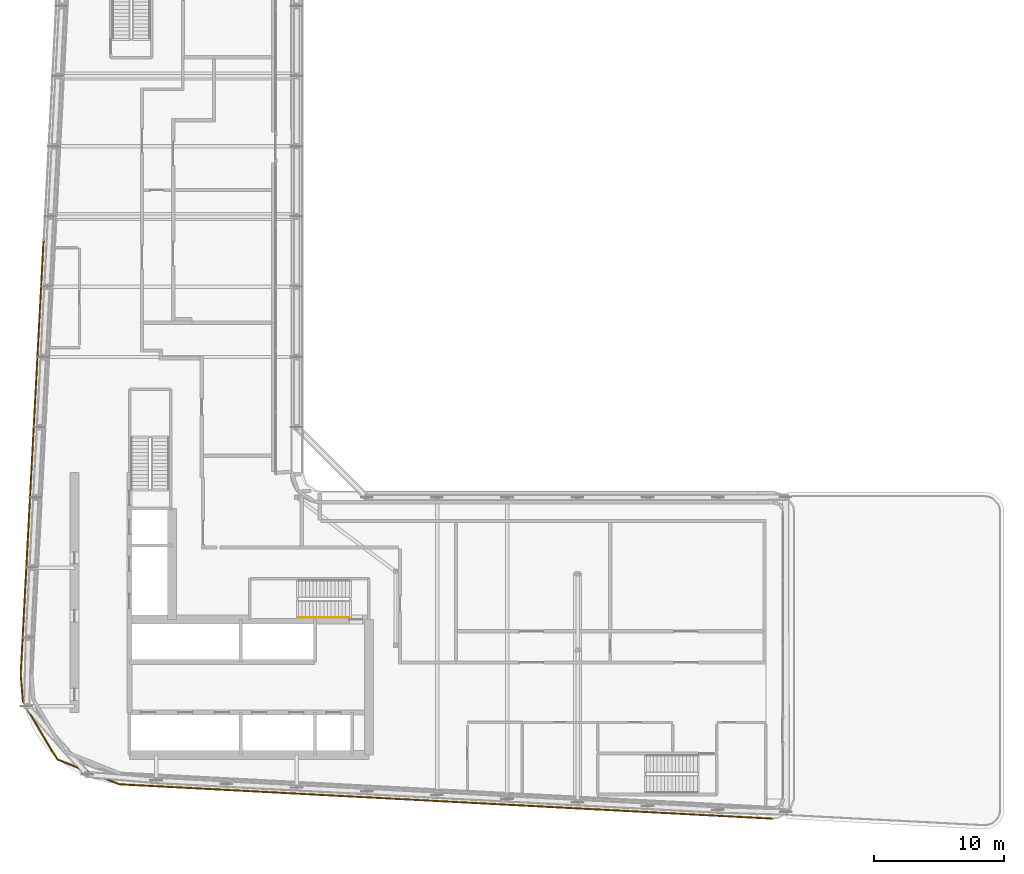
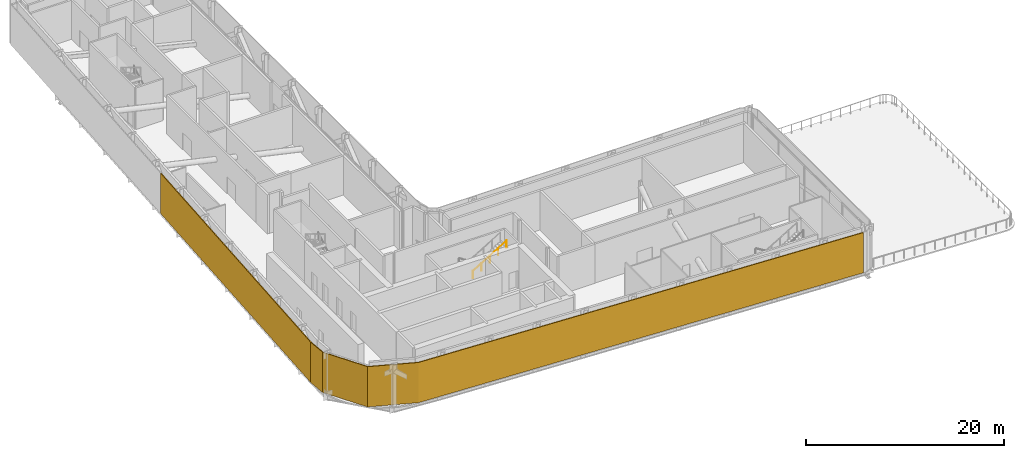
# One storey, part 17 of 23: 2 shading devices, 1 railing.
"""IFC4 building model written with IfcOpenShell, lengths in metres."""

from ifc_helpers import new_model, si_unit, direction, frame, origin, origin_2d, place, context, subcontext, project, spatial, polyline, rectangle, circle, outline, extrude, material, layer, layer_set, type_object, element, save


model = new_model("IFC4")

# Units and contexts
model_context = context("Model", 3, precision=1e-05, world=origin(), true_north=direction((0.0, 1.0)))
body_context = subcontext(model_context, "Body", "Model", "MODEL_VIEW")
ifc_project = project(units=[si_unit("LENGTHUNIT", "METRE"), si_unit("AREAUNIT", "SQUARE_METRE"), si_unit("VOLUMEUNIT", "CUBIC_METRE"), si_unit("PLANEANGLEUNIT", "RADIAN"), si_unit("MASSUNIT", "GRAM", prefix="KILO")], contexts=[model_context])

# Site, building, storey
site_placement = place(None, origin())
site = spatial("IfcSite", under=ifc_project, at=site_placement, CompositionType="ELEMENT")
building_placement = place(site_placement, origin())
building = spatial("IfcBuilding", under=site, at=building_placement, Name="Kheshtan School and Residences Tower", CompositionType="ELEMENT")
storey_placement = place(building_placement, frame((0.0, 0.0, 211.10009765625)))
storey = spatial("IfcBuildingStorey", under=building, at=storey_placement, Name="L49", CompositionType="ELEMENT", Elevation=211.10009765625)

# Shading devices
ifc_material_1 = material(Name="Terracotta louvre blades", Category="masonry")
ifc_layer = layer(ifc_material_1, 0.10009765625)
ifc_layer_set = layer_set([ifc_layer], Name="Plant louvre screen")
shading_device_type = type_object("IfcShadingDeviceType", Name="Plant louvre screen", PredefinedType="JALOUSIE", material=ifc_layer_set)
shading_device_1_placement = place(storey_placement, origin())
element("IfcShadingDevice", 1, at=shading_device_1_placement, inside=storey, type_object=shading_device_type, Name="Screen L49 5", PredefinedType="JALOUSIE", context=body_context, shape_type="SweptSolid", body=[
    extrude(outline(polyline([(84.220947265625, 20.93603515625), (33.989013671875, 23.580078125), (29.2119140625, 25.486083984375), (26.583984375, 29.906982421875), (26.419921875, 31.989013671875), (26.320068359375, 31.98095703125), (26.486083984375, 29.8759765625), (29.14306640625, 25.406005859375), (33.967041015625, 23.48095703125), (84.216064453125, 20.8359375), (84.220947265625, 20.93603515625)])), origin(), (0.0, 0.0, 1.0), 4.949951171875),
])
shading_device_2_placement = place(storey_placement, frame((27.24609375, 48.638916015625, 0.0), z_axis=(0.0, 0.0, 1.0), x_axis=(0.052562536748, 0.998617634398, 0.0)))
element("IfcShadingDevice", 2, at=shading_device_2_placement, inside=storey, type_object=shading_device_type, Name="Screen L49 6", PredefinedType="JALOUSIE", context=body_context, shape_type="SweptSolid", body=[
    extrude(rectangle(XDim=33.341064453125, YDim=0.10009765625, at=origin_2d()), origin(), (0.0, 0.0, 1.0), 4.949951171875),
])

# Railing
ifc_material_2 = material(Name="Stainless steel handrail", Category="steel")
railing_type = type_object("IfcRailingType", Name="Stair handrail 900", PredefinedType="HANDRAIL", material=ifc_material_2)
railing_placement = place(storey_placement, frame((47.72998046875, 36.35009765625, 2.719970703125)))
element("IfcRailing", 3, at=railing_placement, inside=storey, type_object=railing_type, Name="L49 ST1 stair handrail 2", PredefinedType="HANDRAIL", context=body_context, shape_type="SweptSolid", body=[
    extrude(circle(Radius=0.02392578125, at=origin_2d()), frame((0.0, 0.0, 0.8759765625), z_axis=(0.854794262968, 0.0, 0.518967020143), x_axis=(0.0, 1.0, 0.0)), (0.0, 0.0, 1.0), 4.585693359375),
    extrude(circle(Radius=0.02099609375, at=origin_2d()), origin(), (0.0, 0.0, 1.0), 0.851806640625),
    extrude(circle(Radius=0.02099609375, at=origin_2d()), frame((0.97998046875, 0.0, 0.594970703125)), (0.0, 0.0, 1.0), 0.851806640625),
    extrude(circle(Radius=0.02099609375, at=origin_2d()), frame((1.9599609375, 0.0, 1.18994140625)), (0.0, 0.0, 1.0), 0.851806640625),
    extrude(circle(Radius=0.02099609375, at=origin_2d()), frame((2.93994140625, 0.0, 1.784912109375)), (0.0, 0.0, 1.0), 0.851806640625),
    extrude(circle(Radius=0.02099609375, at=origin_2d()), frame((3.919921875, 0.0, 2.3798828125)), (0.0, 0.0, 1.0), 0.851806640625),
])

save(model, "model.ifc")
